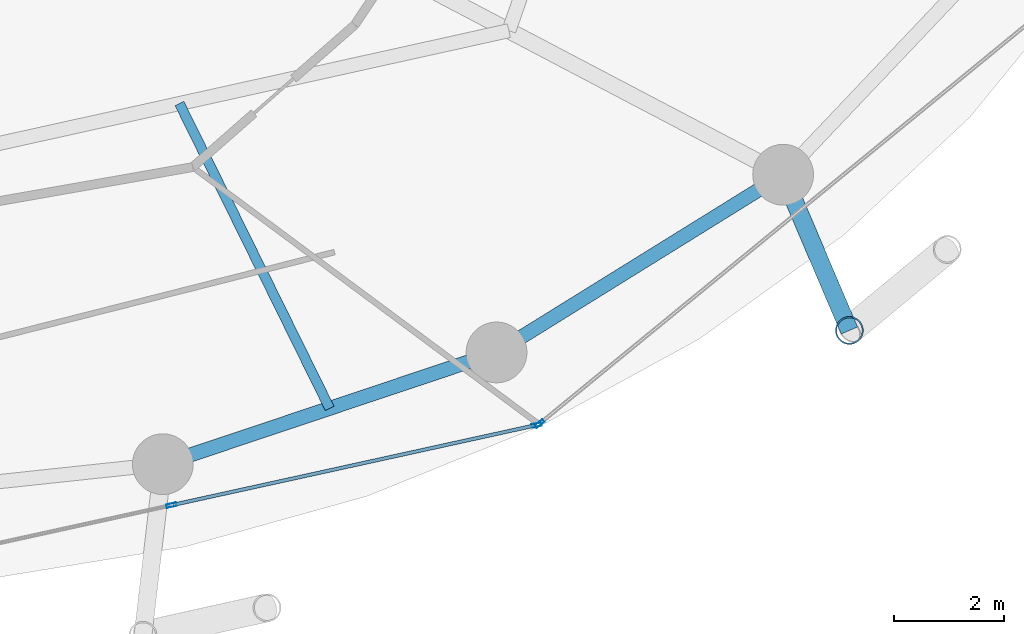
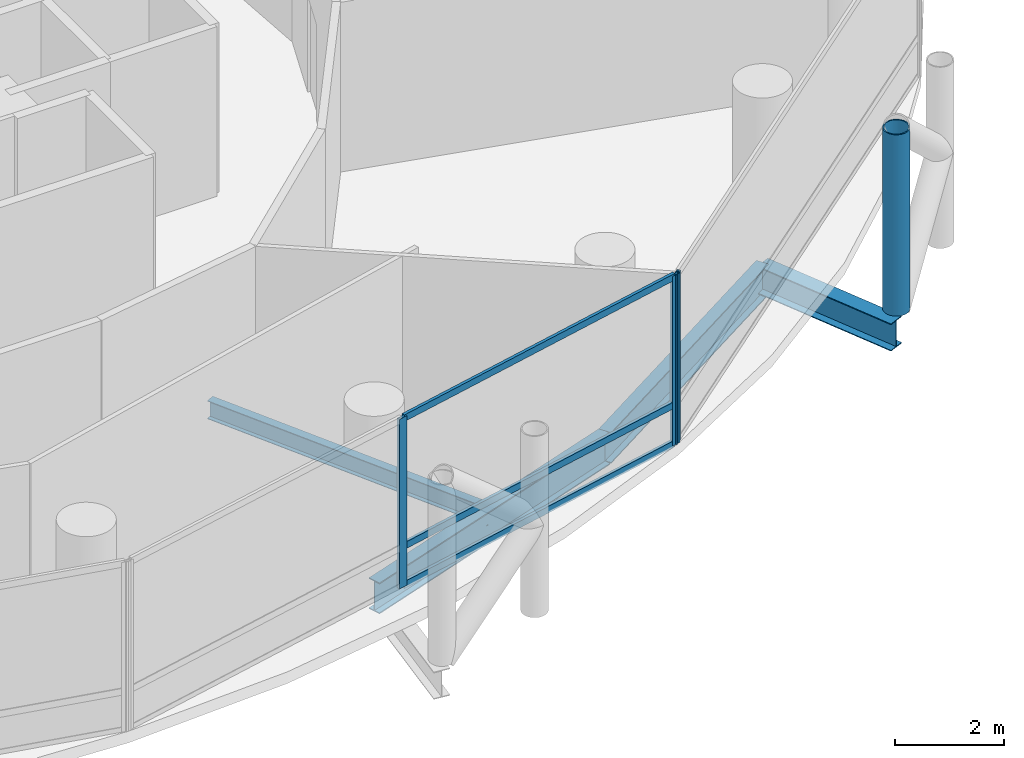
# One storey, part 8 of 24: 7 members, 4 beams, 2 elements without a shape of their own.
"""IFC4 building model written with IfcOpenShell, lengths in metres."""

from ifc_helpers import new_model, si_unit, direction, frame, origin, origin_2d, place, context, subcontext, project, spatial, hollow_rectangle, hollow_circle, i_section, extrude, material, layer, layer_set, material_profile, profile_set, type_object, element, aggregate, save


model = new_model("IFC4")

# Units and contexts
model_context = context("Model", 3, precision=1e-05, world=origin(), true_north=direction((0.0, 1.0)))
body_context = subcontext(model_context, "Body", "Model", "MODEL_VIEW")
ifc_project = project(units=[si_unit("LENGTHUNIT", "METRE"), si_unit("AREAUNIT", "SQUARE_METRE"), si_unit("VOLUMEUNIT", "CUBIC_METRE"), si_unit("PLANEANGLEUNIT", "RADIAN"), si_unit("MASSUNIT", "GRAM", prefix="KILO")], contexts=[model_context])

# Site, building, storey
site_placement = place(None, origin())
site = spatial("IfcSite", under=ifc_project, at=site_placement, CompositionType="ELEMENT")
building_placement = place(site_placement, origin())
building = spatial("IfcBuilding", under=site, at=building_placement, Name="Nuhasar Tower", CompositionType="ELEMENT")
storey_placement = place(building_placement, frame((0.0, 0.0, 41.25)))
storey = spatial("IfcBuildingStorey", under=building, at=storey_placement, Name="L09", CompositionType="ELEMENT", Elevation=41.25)

# Beams
ifc_material_1 = material(Name="Steel S355", Category="steel")
ifc_material_profile_1 = material_profile(ifc_material_1, i_section(OverallWidth=0.177978515625, OverallDepth=0.406005859375, WebThickness=0.0078125, FlangeThickness=0.0126953125, at=origin_2d()), Name="W16X40")
ifc_profile_set_1 = profile_set([ifc_material_profile_1], Name="Steel S355")
beam_type_1 = type_object("IfcBeamType", Name="BM-JST-W16X40", PredefinedType="JOIST", material=ifc_profile_set_1)
beam_1_placement = place(storey_placement, frame((45.783935546875, 13.77001953125, -0.462890625), z_axis=(0.442126747458, -0.89695258469, 0.0), x_axis=(0.89695258469, 0.442126747458, 0.0)))
element("IfcBeam", 1, at=beam_1_placement, inside=storey, type_object=beam_type_1, Name="L09 Secondary Floor Joist 02", PredefinedType="JOIST", context=body_context, shape_type="SweptSolid", body=[
    extrude(i_section(OverallWidth=0.177978515625, OverallDepth=0.406005859375, WebThickness=0.0078125, FlangeThickness=0.0126953125, at=origin_2d()), origin(), (0.0, 0.0, 1.0), 6.152099609375),
])
ifc_material_profile_2 = material_profile(ifc_material_1, i_section(OverallWidth=0.256103515625, OverallDepth=0.693115234375, WebThickness=0.014404296875, FlangeThickness=0.023681640625, at=origin_2d()), Name="W27X114")
ifc_profile_set_2 = profile_set([ifc_material_profile_2], Name="Steel S355")
beam_type_2 = type_object("IfcBeamType", Name="BM-RING-W27X114", PredefinedType="SPANDREL", material=ifc_profile_set_2)
beam_2_placement = place(storey_placement, frame((45.48291015625, 7.239990234375, -0.60595703125), z_axis=(0.94826097201, 0.317491935271, 0.0), x_axis=(-0.317491935271, 0.94826097201, 0.0)))
element("IfcBeam", 2, at=beam_2_placement, inside=storey, type_object=beam_type_2, Name="L09 Perimeter Ring Spandrel 20", PredefinedType="SPANDREL", context=body_context, shape_type="SweptSolid", body=[
    extrude(i_section(OverallWidth=0.256103515625, OverallDepth=0.693115234375, WebThickness=0.014404296875, FlangeThickness=0.023681640625, at=origin_2d()), origin(), (0.0, 0.0, 1.0), 6.37158203125),
])
beam_3_placement = place(storey_placement, frame((51.52490234375, 9.262939453125, -0.60595703125), z_axis=(0.849795216549, 0.527112976439, 0.0), x_axis=(-0.527112976439, 0.849795216549, 0.0)))
element("IfcBeam", 3, at=beam_3_placement, inside=storey, type_object=beam_type_2, Name="L09 Perimeter Ring Spandrel 21", PredefinedType="SPANDREL", context=body_context, shape_type="SweptSolid", body=[
    extrude(i_section(OverallWidth=0.256103515625, OverallDepth=0.693115234375, WebThickness=0.014404296875, FlangeThickness=0.023681640625, at=origin_2d()), origin(), (0.0, 0.0, 1.0), 6.10498046875),
])
ifc_material_profile_3 = material_profile(ifc_material_1, i_section(OverallWidth=0.323974609375, OverallDepth=0.611083984375, WebThickness=0.0126953125, FlangeThickness=0.01904296875, at=origin_2d()), Name="W24X104")
ifc_profile_set_3 = profile_set([ifc_material_profile_3], Name="Steel S355")
beam_type_3 = type_object("IfcBeamType", Name="BM-TIE-W24X104", PredefinedType="BEAM", material=ifc_profile_set_3)
beam_4_placement = place(storey_placement, frame((56.712890625, 12.48095703125, -0.56591796875), z_axis=(0.391601084021, -0.920135093882, 0.0), x_axis=(0.920135093882, 0.391601084021, 0.0)))
element("IfcBeam", 4, at=beam_4_placement, inside=storey, type_object=beam_type_3, Name="L09 Exoskeleton Node Tie Beam 11", PredefinedType="BEAM", context=body_context, shape_type="SweptSolid", body=[
    extrude(i_section(OverallWidth=0.323974609375, OverallDepth=0.611083984375, WebThickness=0.0126953125, FlangeThickness=0.01904296875, at=origin_2d()), origin(), (0.0, 0.0, 1.0), 3.06494140625),
])

# Curtain wall, members
ifc_material_2 = material(Name="Aluminium 6063-T6", Category="aluminium")
ifc_layer = layer(ifc_material_2, 0.199951171875)
ifc_layer_set = layer_set([ifc_layer], Name="Aluminium 6063-T6")
curtain_wall_type = type_object("IfcCurtainWallType", Name="CW-Z1-OFF", PredefinedType="NOTDEFINED", material=ifc_layer_set)
curtain_wall_1_placement = place(storey_placement, origin())
curtain_wall_1 = element("IfcCurtainWall", 5, at=curtain_wall_1_placement, inside=storey, type_object=curtain_wall_type, Name="L09 Unitised Curtain Wall 10", PredefinedType="NOTDEFINED")
ifc_material_profile_4 = material_profile(ifc_material_2, hollow_rectangle(XDim=0.06494140625, YDim=0.179931640625, WallThickness=0.0048828125, at=origin_2d()), Name="CWM-2")
ifc_profile_set_4 = profile_set([ifc_material_profile_4], Name="Aluminium 6063-T6")
member_type_1 = type_object("IfcMemberType", Name="CW-MUL-S2", PredefinedType="MULLION", material=ifc_profile_set_4)
member_1_placement = place(storey_placement, frame((45.639892578125, 6.49755859375, 0.0), z_axis=(0.0, 0.0, 1.0), x_axis=(-0.214398737637, 0.976746221544, 0.0)))
member_1 = element("IfcMember", 6, at=member_1_placement, type_object=member_type_1, Name="CW-Z1 mullion 2", PredefinedType="MULLION", context=body_context, shape_type="SweptSolid", body=[
    extrude(hollow_rectangle(XDim=0.06494140625, YDim=0.179931640625, WallThickness=0.0048828125, at=origin_2d()), origin(), (0.0, 0.0, 1.0), 3.7900390625),
])
member_2_placement = place(storey_placement, frame((52.248291015625, 7.947998046875, 0.0), z_axis=(0.0, 0.0, 1.0), x_axis=(-0.214398737637, 0.976746221544, 0.0)))
member_2 = element("IfcMember", 7, at=member_2_placement, type_object=member_type_1, Name="CW-Z1 mullion 3", PredefinedType="MULLION", context=body_context, shape_type="SweptSolid", body=[
    extrude(hollow_rectangle(XDim=0.06494140625, YDim=0.179931640625, WallThickness=0.0048828125, at=origin_2d()), origin(), (0.0, 0.0, 1.0), 3.7900390625),
])

# Curtain wall, member
curtain_wall_2_placement = place(storey_placement, origin())
curtain_wall_2 = element("IfcCurtainWall", 8, at=curtain_wall_2_placement, inside=storey, type_object=curtain_wall_type, Name="L09 Unitised Curtain Wall 11", PredefinedType="NOTDEFINED")
member_3_placement = place(storey_placement, frame((52.30517578125, 7.9755859375, 0.0), z_axis=(0.0, 0.0, 1.0), x_axis=(-0.633744593376, 0.773542364946, 0.0)))
member_3 = element("IfcMember", 9, at=member_3_placement, type_object=member_type_1, Name="CW-Z1 mullion 1", PredefinedType="MULLION", context=body_context, shape_type="SweptSolid", body=[
    extrude(hollow_rectangle(XDim=0.06494140625, YDim=0.179931640625, WallThickness=0.0048828125, at=origin_2d()), origin(), (0.0, 0.0, 1.0), 3.7900390625),
])
aggregate(curtain_wall_2, [member_3])

# Member
ifc_material_profile_5 = material_profile(ifc_material_2, hollow_rectangle(XDim=0.06494140625, YDim=0.14990234375, WallThickness=0.00439453125, at=origin_2d()), Name="CWT-2")
ifc_profile_set_5 = profile_set([ifc_material_profile_5], Name="Aluminium 6063-T6")
member_type_2 = type_object("IfcMemberType", Name="CW-TRN-S2", PredefinedType="USERDEFINED", material=ifc_profile_set_5)
member_4_placement = place(storey_placement, frame((45.671630859375, 6.50439453125, 0.032470703125), z_axis=(0.976741923778, 0.214418316228, 0.0), x_axis=(-0.214418316228, 0.976741923778, 0.0)))
member_4 = element("IfcMember", 10, at=member_4_placement, type_object=member_type_2, Name="CW-Z1 transom 2.1", ObjectType="TRANSOM", PredefinedType="USERDEFINED", context=body_context, shape_type="SweptSolid", body=[
    extrude(hollow_rectangle(XDim=0.06494140625, YDim=0.14990234375, WallThickness=0.00439453125, at=origin_2d()), origin(), (0.0, 0.0, 1.0), 6.70068359375),
])

member_5_placement = place(storey_placement, frame((45.671630859375, 6.50439453125, 0.89990234375), z_axis=(0.976741923778, 0.214418316228, 0.0), x_axis=(-0.214418316228, 0.976741923778, 0.0)))
member_5 = element("IfcMember", 11, at=member_5_placement, type_object=member_type_2, Name="CW-Z1 transom 2.2", ObjectType="TRANSOM", PredefinedType="USERDEFINED", context=body_context, shape_type="SweptSolid", body=[
    extrude(hollow_rectangle(XDim=0.06494140625, YDim=0.14990234375, WallThickness=0.00439453125, at=origin_2d()), origin(), (0.0, 0.0, 1.0), 6.70068359375),
])

member_6_placement = place(storey_placement, frame((45.671630859375, 6.50439453125, 3.757568359375), z_axis=(0.976741923778, 0.214418316228, 0.0), x_axis=(-0.214418316228, 0.976741923778, 0.0)))
member_6 = element("IfcMember", 12, at=member_6_placement, type_object=member_type_2, Name="CW-Z1 transom 2.3", ObjectType="TRANSOM", PredefinedType="USERDEFINED", context=body_context, shape_type="SweptSolid", body=[
    extrude(hollow_rectangle(XDim=0.06494140625, YDim=0.14990234375, WallThickness=0.00439453125, at=origin_2d()), origin(), (0.0, 0.0, 1.0), 6.70068359375),
])

aggregate(curtain_wall_1, [member_1, member_2, member_4, member_5, member_6])

ifc_material_3 = material(Name="Steel S460", Category="steel")
ifc_material_profile_6 = material_profile(ifc_material_3, hollow_circle(Radius=0.25390625, WallThickness=0.025390625, at=origin_2d()), Name="HSS508X25.4")
ifc_profile_set_6 = profile_set([ifc_material_profile_6], Name="Steel S460")
member_type_3 = type_object("IfcMemberType", Name="EXO-BRONZE-508", PredefinedType="BRACE", material=ifc_profile_set_6)
member_7_placement = place(storey_placement, frame((57.9130859375, 9.660888671875, 0.0), z_axis=(0.0, 0.0, 1.0), x_axis=(1.0, 0.0, 0.0)))
element("IfcMember", 13, at=member_7_placement, inside=storey, type_object=member_type_3, Name="L09 Exoskeleton Chord Column EC-11A", PredefinedType="BRACE", context=body_context, shape_type="SweptSolid", body=[
    extrude(hollow_circle(Radius=0.25390625, WallThickness=0.025390625, at=origin_2d()), origin(), (0.0, 0.0, 1.0), 4.050048828125),
])

save(model, "model.ifc")
